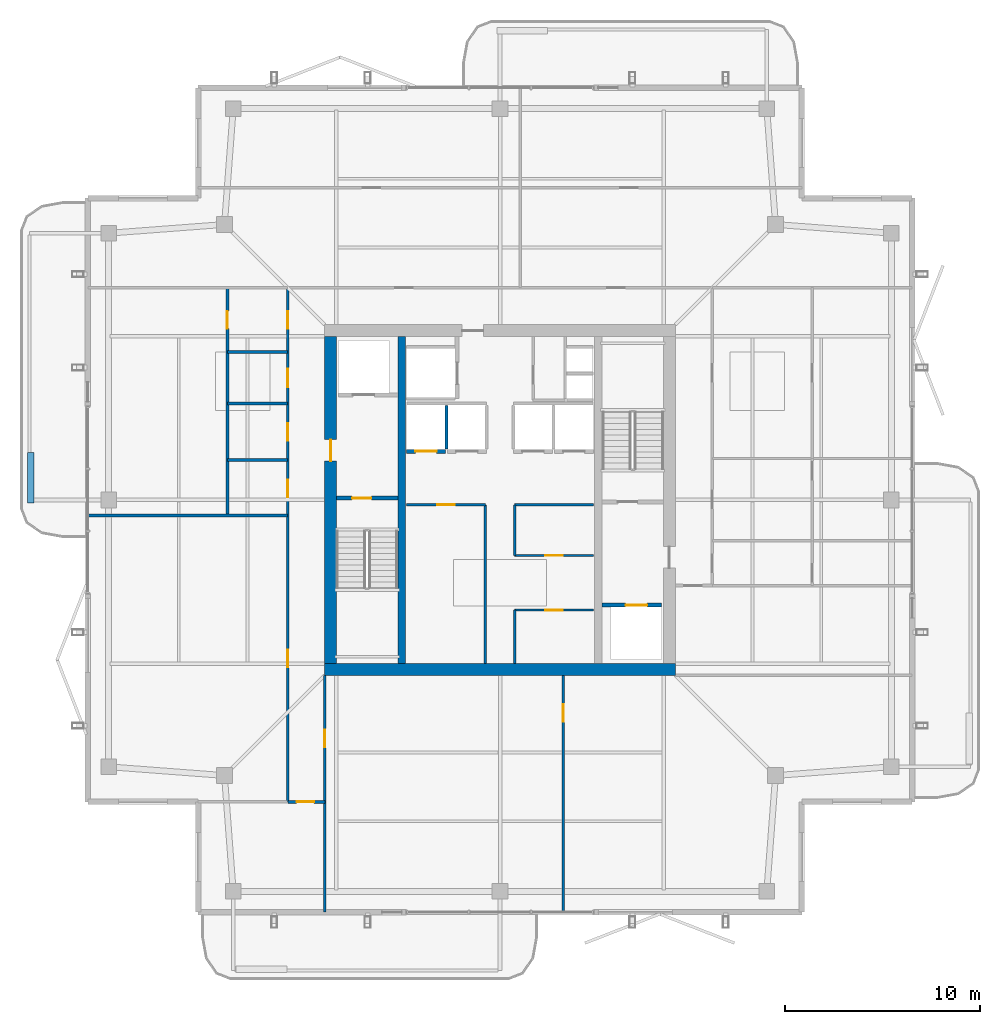
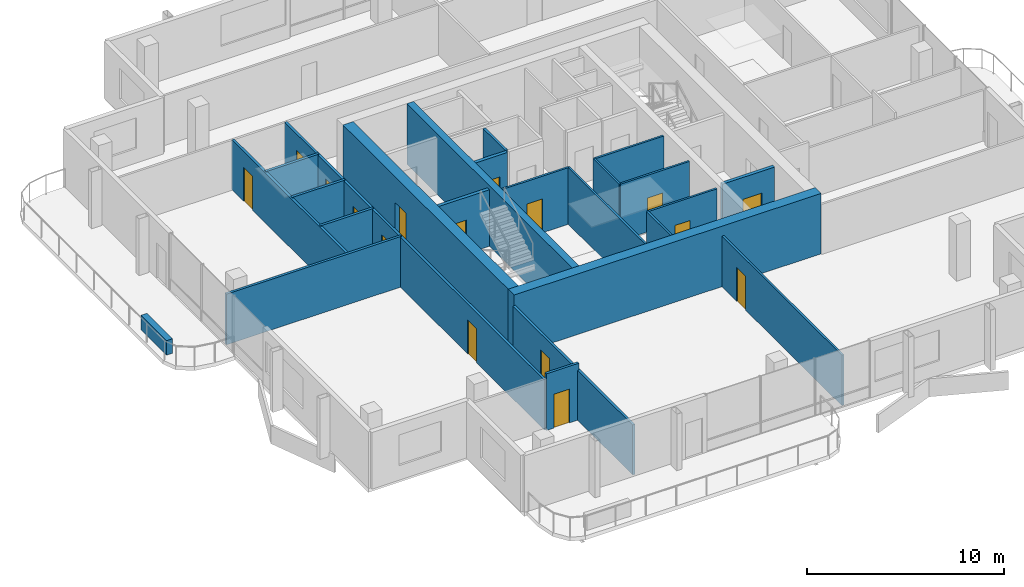
# One storey, part 16 of 22: 24 walls, 16 doors, 16 openings.
"""IFC4 building model written with IfcOpenShell, lengths in metres."""

from ifc_helpers import new_model, si_unit, direction, frame, frame_2d, origin, place, context, subcontext, project, spatial, rectangle, extrude, material, layer, layer_set, type_object, element, fill, save


model = new_model("IFC4")

# Units and contexts
model_context = context("Model", 3, precision=1e-05, world=origin(), true_north=direction((0.0, 1.0)))
body_context = subcontext(model_context, "Body", "Model", "MODEL_VIEW")
ifc_project = project(units=[si_unit("LENGTHUNIT", "METRE"), si_unit("AREAUNIT", "SQUARE_METRE"), si_unit("VOLUMEUNIT", "CUBIC_METRE"), si_unit("PLANEANGLEUNIT", "RADIAN"), si_unit("MASSUNIT", "GRAM", prefix="KILO")], contexts=[model_context])

# Site, building, storey
site_placement = place(None, origin())
site = spatial("IfcSite", under=ifc_project, at=site_placement, CompositionType="ELEMENT")
building_placement = place(site_placement, origin())
building = spatial("IfcBuilding", under=site, at=building_placement, Name="Belovzor Exchange Tower", CompositionType="ELEMENT")
storey_placement = place(building_placement, frame((0.0, 0.0, 348.0)))
storey = spatial("IfcBuildingStorey", under=building, at=storey_placement, Name="L87", CompositionType="ELEMENT", Elevation=348.0)

# Wall, opening, door
ifc_material_1 = material(Name="Acoustic Plasterboard on Galvanised Studs", Category="gypsum")
ifc_layer_1 = layer(ifc_material_1, 0.1201171875)
ifc_layer_set_1 = layer_set([ifc_layer_1], Name="Acoustic Plasterboard on Galvanised Studs")
wall_type_1 = type_object("IfcWallType", Name="Acoustic Double-Stud Partition Wall 120", PredefinedType="PARTITIONING", material=ifc_layer_set_1)
wall_1_placement = place(storey_placement, frame((32.050048828125, 7.6298828125, 0.0), z_axis=(0.0, 0.0, 1.0), x_axis=(0.0, 1.0, 0.0)))
wall_1 = element("IfcWall", 1, at=wall_1_placement, inside=storey, type_object=wall_type_1, Name="W-P120 Partition Wall W-L87-SDIV-1", PredefinedType="PARTITIONING", context=body_context, shape_type="SweptSolid", body=[
    extrude(rectangle(XDim=12.170166015625, YDim=0.1201171875, at=frame_2d((6.0849609375, 0.0))), origin(), (0.0, 0.0, 1.0), 3.135009765625),
])
opening_1_placement = place(wall_1_placement, frame((9.77001953125, 0.0, 0.0)))
opening_1 = element("IfcOpeningElement", 2, at=opening_1_placement, cuts=wall_1, Name="Opening D-INT-090", PredefinedType="OPENING", context=body_context, shape_type="SweptSolid", body=[
    extrude(rectangle(XDim=0.89990234375, YDim=2.10009765625, at=frame_2d((0.449951171875, 1.050048828125))), frame((0.0, 0.070068359375, 0.0), z_axis=(0.0, -1.0, 0.0), x_axis=(1.0, 0.0, 0.0)), (0.0, 0.0, 1.0), 0.14013671875),
])
ifc_material_2 = material(Name="Veneered Hardwood Acoustic Leaf", Category="wood")
door_type_1 = type_object("IfcDoorType", Name="Trading Suite Acoustic Single Door 900x2100", OperationType="NOTDEFINED", PredefinedType="DOOR", material=ifc_material_2)
door_1_placement = place(opening_1_placement, origin())
door_1 = element("IfcDoor", 3, at=door_1_placement, inside=storey, type_object=door_type_1, Name="D-INT-090 Trading Suite Acoustic Single Door 900x2100", OperationType="SINGLE_SWING_LEFT", OverallHeight=2.10009765625, OverallWidth=0.89990234375, PredefinedType="DOOR", context=body_context, shape_type="SweptSolid", body=[
    extrude(rectangle(XDim=0.89990234375, YDim=2.10009765625, at=frame_2d((0.449951171875, 1.050048828125))), frame((0.0, 0.02490234375, 0.0), z_axis=(0.0, -1.0, 0.0), x_axis=(1.0, 0.0, 0.0)), (0.0, 0.0, 1.0), 0.050048828125),
])
fill(opening_1, door_1)

ifc_material_3 = material(Name="Fire-Rated Plasterboard on Galvanised Studs", Category="gypsum")
ifc_layer_2 = layer(ifc_material_3, 0.1201171875)
ifc_layer_set_2 = layer_set([ifc_layer_2], Name="Fire-Rated Plasterboard on Galvanised Studs")
wall_type_2 = type_object("IfcWallType", Name="Fire-Rated Double-Stud Partition Wall 120", PredefinedType="PARTITIONING", material=ifc_layer_set_2)
wall_2_placement = place(storey_placement, frame((24.0, 28.550048828125, 0.0), z_axis=(0.0, 0.0, 1.0), x_axis=(1.0, 0.0, 0.0)))
wall_2 = element("IfcWall", 4, at=wall_2_placement, inside=storey, type_object=wall_type_2, Name="W-P120F Partition Wall W-CRWB-L87-N", PredefinedType="PARTITIONING", context=body_context, shape_type="SweptSolid", body=[
    extrude(rectangle(XDim=4.050048828125, YDim=0.1201171875, at=frame_2d((2.02490234375, 0.0))), origin(), (0.0, 0.0, 1.0), 3.510009765625),
])
opening_2_placement = place(wall_2_placement, frame((1.574951171875, 0.0, 0.0)))
opening_2 = element("IfcOpeningElement", 5, at=opening_2_placement, cuts=wall_2, Name="Opening D-FD60-090", PredefinedType="OPENING", context=body_context, shape_type="SweptSolid", body=[
    extrude(rectangle(XDim=0.89990234375, YDim=2.10009765625, at=frame_2d((0.449951171875, 1.050048828125))), frame((0.0, 0.070068359375, 0.0), z_axis=(0.0, -1.0, 0.0), x_axis=(1.0, 0.0, 0.0)), (0.0, 0.0, 1.0), 0.14013671875),
])
ifc_material_4 = material(Name="Acoustic Timber Fire Leaf", Category="wood")
door_type_2 = type_object("IfcDoorType", Name="Core Service & Restroom Fire Door 900x2100", OperationType="NOTDEFINED", PredefinedType="DOOR", material=ifc_material_4)
door_2_placement = place(opening_2_placement, origin())
door_2 = element("IfcDoor", 6, at=door_2_placement, inside=storey, type_object=door_type_2, Name="D-FD60-090 Core Service & Restroom Fire Door 900x2100", OperationType="SINGLE_SWING_LEFT", OverallHeight=2.10009765625, OverallWidth=0.89990234375, PredefinedType="DOOR", context=body_context, shape_type="SweptSolid", body=[
    extrude(rectangle(XDim=0.89990234375, YDim=2.10009765625, at=frame_2d((0.449951171875, 1.050048828125))), frame((0.0, 0.02490234375, 0.0), z_axis=(0.0, -1.0, 0.0), x_axis=(1.0, 0.0, 0.0)), (0.0, 0.0, 1.0), 0.050048828125),
])
fill(opening_2, door_2)

# Wall
wall_3_placement = place(storey_placement, frame((28.050048828125, 20.39990234375, 0.0), z_axis=(0.0, 0.0, 1.0), x_axis=(0.0, 1.0, 0.0)))
element("IfcWall", 7, at=wall_3_placement, inside=storey, type_object=wall_type_2, Name="W-P120F Partition Wall W-CRWB-L87-E", PredefinedType="PARTITIONING", context=body_context, shape_type="SweptSolid", body=[
    extrude(rectangle(XDim=8.150146484375, YDim=0.1201171875, at=frame_2d((4.0751953125, 0.0))), origin(), (0.0, 0.0, 1.0), 3.510009765625),
])

# Wall, opening, door
wall_4_placement = place(storey_placement, frame((29.550048828125, 23.14990234375, 0.0), z_axis=(0.0, 0.0, 1.0), x_axis=(1.0, 0.0, 0.0)))
wall_4 = element("IfcWall", 8, at=wall_4_placement, inside=storey, type_object=wall_type_2, Name="W-P120F Partition Wall W-CRL-L87-EN", PredefinedType="PARTITIONING", context=body_context, shape_type="SweptSolid", body=[
    extrude(rectangle(XDim=4.050048828125, YDim=0.1201171875, at=frame_2d((2.02490234375, 0.0))), origin(), (0.0, 0.0, 1.0), 3.510009765625),
])
opening_3_placement = place(wall_4_placement, frame((1.574951171875, 0.0, 0.0)))
opening_3 = element("IfcOpeningElement", 9, at=opening_3_placement, cuts=wall_4, Name="Opening D-FD60-090", PredefinedType="OPENING", context=body_context, shape_type="SweptSolid", body=[
    extrude(rectangle(XDim=0.89990234375, YDim=2.10009765625, at=frame_2d((0.449951171875, 1.050048828125))), frame((0.0, 0.070068359375, 0.0), z_axis=(0.0, -1.0, 0.0), x_axis=(1.0, 0.0, 0.0)), (0.0, 0.0, 1.0), 0.14013671875),
])
door_3_placement = place(opening_3_placement, origin())
door_3 = element("IfcDoor", 10, at=door_3_placement, inside=storey, type_object=door_type_2, Name="D-FD60-090 Core Service & Restroom Fire Door 900x2100", OperationType="SINGLE_SWING_RIGHT", OverallHeight=2.10009765625, OverallWidth=0.89990234375, PredefinedType="DOOR", context=body_context, shape_type="SweptSolid", body=[
    extrude(rectangle(XDim=0.89990234375, YDim=2.10009765625, at=frame_2d((0.449951171875, 1.050048828125))), frame((0.0, 0.02490234375, 0.0), z_axis=(0.0, -1.0, 0.0), x_axis=(1.0, 0.0, 0.0)), (0.0, 0.0, 1.0), 0.050048828125),
])
fill(opening_3, door_3)

# Wall
wall_5_placement = place(storey_placement, frame((29.550048828125, 20.39990234375, 0.0), z_axis=(0.0, 0.0, 1.0), x_axis=(0.0, 1.0, 0.0)))
element("IfcWall", 11, at=wall_5_placement, inside=storey, type_object=wall_type_2, Name="W-P120F Partition Wall W-CRL-L87-EW", PredefinedType="PARTITIONING", context=body_context, shape_type="SweptSolid", body=[
    extrude(rectangle(XDim=2.75, YDim=0.1201171875, at=frame_2d((1.375, 0.0))), origin(), (0.0, 0.0, 1.0), 3.510009765625),
])

# Wall, opening, door
wall_6_placement = place(storey_placement, frame((29.550048828125, 25.949951171875, 0.0), z_axis=(0.0, 0.0, 1.0), x_axis=(1.0, 0.0, 0.0)))
wall_6 = element("IfcWall", 12, at=wall_6_placement, inside=storey, type_object=wall_type_2, Name="W-P120F Partition Wall W-CRM-L87-ES", PredefinedType="PARTITIONING", context=body_context, shape_type="SweptSolid", body=[
    extrude(rectangle(XDim=4.050048828125, YDim=0.1201171875, at=frame_2d((2.02490234375, 0.0))), origin(), (0.0, 0.0, 1.0), 3.510009765625),
])
opening_4_placement = place(wall_6_placement, frame((1.574951171875, 0.0, 0.0)))
opening_4 = element("IfcOpeningElement", 13, at=opening_4_placement, cuts=wall_6, Name="Opening D-FD60-090", PredefinedType="OPENING", context=body_context, shape_type="SweptSolid", body=[
    extrude(rectangle(XDim=0.89990234375, YDim=2.10009765625, at=frame_2d((0.449951171875, 1.050048828125))), frame((0.0, 0.070068359375, 0.0), z_axis=(0.0, -1.0, 0.0), x_axis=(1.0, 0.0, 0.0)), (0.0, 0.0, 1.0), 0.14013671875),
])
door_4_placement = place(opening_4_placement, origin())
door_4 = element("IfcDoor", 14, at=door_4_placement, inside=storey, type_object=door_type_2, Name="D-FD60-090 Core Service & Restroom Fire Door 900x2100", OperationType="SINGLE_SWING_RIGHT", OverallHeight=2.10009765625, OverallWidth=0.89990234375, PredefinedType="DOOR", context=body_context, shape_type="SweptSolid", body=[
    extrude(rectangle(XDim=0.89990234375, YDim=2.10009765625, at=frame_2d((0.449951171875, 1.050048828125))), frame((0.0, 0.02490234375, 0.0), z_axis=(0.0, -1.0, 0.0), x_axis=(1.0, 0.0, 0.0)), (0.0, 0.0, 1.0), 0.050048828125),
])
fill(opening_4, door_4)

# Walls
wall_7_placement = place(storey_placement, frame((29.550048828125, 28.550048828125, 0.0), z_axis=(0.0, 0.0, 1.0), x_axis=(1.0, 0.0, 0.0)))
element("IfcWall", 15, at=wall_7_placement, inside=storey, type_object=wall_type_2, Name="W-P120F Partition Wall W-CRM-L87-EN", PredefinedType="PARTITIONING", context=body_context, shape_type="SweptSolid", body=[
    extrude(rectangle(XDim=4.050048828125, YDim=0.1201171875, at=frame_2d((2.02490234375, 0.0))), origin(), (0.0, 0.0, 1.0), 3.510009765625),
])
wall_8_placement = place(storey_placement, frame((29.550048828125, 25.949951171875, 0.0), z_axis=(0.0, 0.0, 1.0), x_axis=(0.0, 1.0, 0.0)))
element("IfcWall", 16, at=wall_8_placement, inside=storey, type_object=wall_type_2, Name="W-P120F Partition Wall W-CRM-L87-EW", PredefinedType="PARTITIONING", context=body_context, shape_type="SweptSolid", body=[
    extrude(rectangle(XDim=2.60009765625, YDim=0.1201171875, at=frame_2d((1.300048828125, 0.0))), origin(), (0.0, 0.0, 1.0), 3.510009765625),
])

# Wall, opening, door
ifc_material_5 = material(Name="Fire-Rated Gypsum Block and Mineral Wool", Category="gypsum")
ifc_layer_3 = layer(ifc_material_5, 0.14990234375)
ifc_layer_set_3 = layer_set([ifc_layer_3], Name="Fire-Rated Gypsum Block and Mineral Wool")
wall_type_3 = type_object("IfcWallType", Name="Fire-Rated Gypsum Block Corridor Wall 150", PredefinedType="PARTITIONING", material=ifc_layer_set_3)
wall_9_placement = place(storey_placement, frame((14.800048828125, 28.0, 0.0), z_axis=(0.0, 0.0, 1.0), x_axis=(0.0, 1.0, 0.0)))
wall_9 = element("IfcWall", 17, at=wall_9_placement, inside=storey, type_object=wall_type_3, Name="W-P150 Partition Wall W-L87-WCW", PredefinedType="PARTITIONING", context=body_context, shape_type="SweptSolid", body=[
    extrude(rectangle(XDim=11.699951171875, YDim=0.14990234375, at=frame_2d((5.85009765625, 0.0))), origin(), (0.0, 0.0, 1.0), 3.094970703125),
])
opening_5_placement = place(wall_9_placement, frame((9.60009765625, 0.0, 0.0)))
opening_5 = element("IfcOpeningElement", 18, at=opening_5_placement, cuts=wall_9, Name="Opening D-INT-090", PredefinedType="OPENING", context=body_context, shape_type="SweptSolid", body=[
    extrude(rectangle(XDim=0.89990234375, YDim=2.10009765625, at=frame_2d((0.449951171875, 1.050048828125))), frame((0.0, 0.0849609375, 0.0), z_axis=(0.0, -1.0, 0.0), x_axis=(1.0, 0.0, 0.0)), (0.0, 0.0, 1.0), 0.169921875),
])
door_5_placement = place(opening_5_placement, origin())
door_5 = element("IfcDoor", 19, at=door_5_placement, inside=storey, type_object=door_type_1, Name="D-INT-090 Trading Suite Acoustic Single Door 900x2100", OperationType="SINGLE_SWING_LEFT", OverallHeight=2.10009765625, OverallWidth=0.89990234375, PredefinedType="DOOR", context=body_context, shape_type="SweptSolid", body=[
    extrude(rectangle(XDim=0.89990234375, YDim=2.10009765625, at=frame_2d((0.449951171875, 1.050048828125))), frame((0.0, 0.02490234375, 0.0), z_axis=(0.0, -1.0, 0.0), x_axis=(1.0, 0.0, 0.0)), (0.0, 0.0, 1.0), 0.050048828125),
])
fill(opening_5, door_5)

# Walls
wall_10_placement = place(storey_placement, frame((7.6298828125, 28.0, 0.0), z_axis=(0.0, 0.0, 1.0), x_axis=(1.0, 0.0, 0.0)))
element("IfcWall", 20, at=wall_10_placement, inside=storey, type_object=wall_type_3, Name="W-P150 Partition Wall W-L87-WCS", PredefinedType="PARTITIONING", context=body_context, shape_type="SweptSolid", body=[
    extrude(rectangle(XDim=10.27001953125, YDim=0.14990234375, at=frame_2d((5.135009765625, 0.0))), origin(), (0.0, 0.0, 1.0), 3.135009765625),
])
for number, where, z_axis, x_axis, name in (
    (21, (14.800048828125, 36.39990234375, 0.0), (0.0, 0.0, 1.0), (1.0, 0.0, 0.0), "W-P150 Partition Wall W-L87-WCN"),
    (22, (14.800048828125, 30.85009765625, 0.0), (0.0, 0.0, 1.0), (1.0, 0.0, 0.0), "W-P150 Partition Wall W-L87-WCD1"),
    (23, (14.800048828125, 33.75, 0.0), (0.0, 0.0, 1.0), (1.0, 0.0, 0.0), "W-P150 Partition Wall W-L87-WCD2"),
):
    element("IfcWall", number, at=place(storey_placement, frame(where, z_axis=z_axis, x_axis=x_axis)), inside=storey, type_object=wall_type_3, Name=name, PredefinedType="PARTITIONING", context=body_context, shape_type="SweptSolid", body=[
        extrude(rectangle(XDim=3.099853515625, YDim=0.14990234375, at=frame_2d((1.5498046875, 0.0))), origin(), (0.0, 0.0, 1.0), 3.135009765625),
    ])

# Wall, opening, door
wall_11_placement = place(storey_placement, frame((17.89990234375, 13.300048828125, 0.0), z_axis=(0.0, 0.0, 1.0), x_axis=(1.0, 0.0, 0.0)))
wall_11 = element("IfcWall", 24, at=wall_11_placement, inside=storey, type_object=wall_type_3, Name="W-P150 Partition Wall W-L87-CW-END", PredefinedType="PARTITIONING", context=body_context, shape_type="SweptSolid", body=[
    extrude(rectangle(XDim=1.900146484375, YDim=0.14990234375, at=frame_2d((0.9501953125, 0.0))), origin(), (0.0, 0.0, 1.0), 3.510009765625),
])
opening_6_placement = place(wall_11_placement, frame((0.449951171875, 0.0, 0.0)))
opening_6 = element("IfcOpeningElement", 25, at=opening_6_placement, cuts=wall_11, Name="Opening D-FD60-090", PredefinedType="OPENING", context=body_context, shape_type="SweptSolid", body=[
    extrude(rectangle(XDim=0.89990234375, YDim=2.10009765625, at=frame_2d((0.449951171875, 1.050048828125))), frame((0.0, 0.0849609375, 0.0), z_axis=(0.0, -1.0, 0.0), x_axis=(1.0, 0.0, 0.0)), (0.0, 0.0, 1.0), 0.169921875),
])
door_6_placement = place(opening_6_placement, origin())
door_6 = element("IfcDoor", 26, at=door_6_placement, inside=storey, type_object=door_type_2, Name="D-FD60-090 Core Service & Restroom Fire Door 900x2100", OperationType="SINGLE_SWING_LEFT", OverallHeight=2.10009765625, OverallWidth=0.89990234375, PredefinedType="DOOR", context=body_context, shape_type="SweptSolid", body=[
    extrude(rectangle(XDim=0.89990234375, YDim=2.10009765625, at=frame_2d((0.449951171875, 1.050048828125))), frame((0.0, 0.02490234375, 0.0), z_axis=(0.0, -1.0, 0.0), x_axis=(1.0, 0.0, 0.0)), (0.0, 0.0, 1.0), 0.050048828125),
])
fill(opening_6, door_6)

wall_12_placement = place(storey_placement, frame((19.800048828125, 7.6298828125, 0.0), z_axis=(0.0, 0.0, 1.0), x_axis=(0.0, 1.0, 0.0)))
wall_12 = element("IfcWall", 27, at=wall_12_placement, inside=storey, type_object=wall_type_3, Name="W-P150 Partition Wall W-L87-CW-E", PredefinedType="PARTITIONING", context=body_context, shape_type="SweptSolid", body=[
    extrude(rectangle(XDim=12.170166015625, YDim=0.14990234375, at=frame_2d((6.0849609375, 0.0))), origin(), (0.0, 0.0, 1.0), 3.094970703125),
])
opening_7_placement = place(wall_12_placement, frame((8.469970703125, 0.0, 0.0)))
opening_7 = element("IfcOpeningElement", 28, at=opening_7_placement, cuts=wall_12, Name="Opening D-FD60-090", PredefinedType="OPENING", context=body_context, shape_type="SweptSolid", body=[
    extrude(rectangle(XDim=0.89990234375, YDim=2.10009765625, at=frame_2d((0.449951171875, 1.050048828125))), frame((0.0, 0.0849609375, 0.0), z_axis=(0.0, -1.0, 0.0), x_axis=(1.0, 0.0, 0.0)), (0.0, 0.0, 1.0), 0.169921875),
])
door_7_placement = place(opening_7_placement, origin())
door_7 = element("IfcDoor", 29, at=door_7_placement, inside=storey, type_object=door_type_2, Name="D-FD60-090 Core Service & Restroom Fire Door 900x2100", OperationType="SINGLE_SWING_RIGHT", OverallHeight=2.10009765625, OverallWidth=0.89990234375, PredefinedType="DOOR", context=body_context, shape_type="SweptSolid", body=[
    extrude(rectangle(XDim=0.89990234375, YDim=2.10009765625, at=frame_2d((0.449951171875, 1.050048828125))), frame((0.0, 0.02490234375, 0.0), z_axis=(0.0, -1.0, 0.0), x_axis=(1.0, 0.0, 0.0)), (0.0, 0.0, 1.0), 0.050048828125),
])
fill(opening_7, door_7)

# Wall, openings, doors
wall_13_placement = place(storey_placement, frame((17.89990234375, 13.300048828125, 0.0), z_axis=(0.0, 0.0, 1.0), x_axis=(0.0, 1.0, 0.0)))
wall_13 = element("IfcWall", 30, at=wall_13_placement, inside=storey, type_object=wall_type_3, Name="W-P150 Partition Wall W-L87-CW", PredefinedType="PARTITIONING", context=body_context, shape_type="SweptSolid", body=[
    extrude(rectangle(XDim=26.39990234375, YDim=0.14990234375, at=frame_2d((13.199951171875, 0.0))), origin(), (0.0, 0.0, 1.0), 3.094970703125),
])
opening_8_placement = place(wall_13_placement, frame((6.89990234375, 0.0, 0.0)))
opening_8 = element("IfcOpeningElement", 31, at=opening_8_placement, cuts=wall_13, Name="Opening D-INT-090", PredefinedType="OPENING", context=body_context, shape_type="SweptSolid", body=[
    extrude(rectangle(XDim=0.89990234375, YDim=2.10009765625, at=frame_2d((0.449951171875, 1.050048828125))), frame((0.0, 0.0849609375, 0.0), z_axis=(0.0, -1.0, 0.0), x_axis=(1.0, 0.0, 0.0)), (0.0, 0.0, 1.0), 0.169921875),
])
opening_9_placement = place(wall_13_placement, frame((15.64990234375, 0.0, 0.0)))
opening_9 = element("IfcOpeningElement", 32, at=opening_9_placement, cuts=wall_13, Name="Opening D-FD60-090", PredefinedType="OPENING", context=body_context, shape_type="SweptSolid", body=[
    extrude(rectangle(XDim=0.89990234375, YDim=2.10009765625, at=frame_2d((0.449951171875, 1.050048828125))), frame((0.0, 0.0849609375, 0.0), z_axis=(0.0, -1.0, 0.0), x_axis=(1.0, 0.0, 0.0)), (0.0, 0.0, 1.0), 0.169921875),
])
opening_10_placement = place(wall_13_placement, frame((18.550048828125, 0.0, 0.0)))
opening_10 = element("IfcOpeningElement", 33, at=opening_10_placement, cuts=wall_13, Name="Opening D-FD60-090", PredefinedType="OPENING", context=body_context, shape_type="SweptSolid", body=[
    extrude(rectangle(XDim=0.89990234375, YDim=2.10009765625, at=frame_2d((0.449951171875, 1.050048828125))), frame((0.0, 0.0849609375, 0.0), z_axis=(0.0, -1.0, 0.0), x_axis=(1.0, 0.0, 0.0)), (0.0, 0.0, 1.0), 0.169921875),
])
opening_11_placement = place(wall_13_placement, frame((21.300048828125, 0.0, 0.0)))
opening_11 = element("IfcOpeningElement", 34, at=opening_11_placement, cuts=wall_13, Name="Opening D-FD60-095", PredefinedType="OPENING", context=body_context, shape_type="SweptSolid", body=[
    extrude(rectangle(XDim=0.949951171875, YDim=2.10009765625, at=frame_2d((0.47509765625, 1.050048828125))), frame((0.0, 0.0849609375, 0.0), z_axis=(0.0, -1.0, 0.0), x_axis=(1.0, 0.0, 0.0)), (0.0, 0.0, 1.0), 0.169921875),
])
opening_12_placement = place(wall_13_placement, frame((24.300048828125, 0.0, 0.0)))
opening_12 = element("IfcOpeningElement", 35, at=opening_12_placement, cuts=wall_13, Name="Opening D-FD60-090", PredefinedType="OPENING", context=body_context, shape_type="SweptSolid", body=[
    extrude(rectangle(XDim=0.89990234375, YDim=2.10009765625, at=frame_2d((0.449951171875, 1.050048828125))), frame((0.0, 0.0849609375, 0.0), z_axis=(0.0, -1.0, 0.0), x_axis=(1.0, 0.0, 0.0)), (0.0, 0.0, 1.0), 0.169921875),
])
ifc_material_6 = material(Name="Moisture-Resistant Timber Fire Leaf", Category="wood")
door_type_3 = type_object("IfcDoorType", Name="Accessible Restroom Wide Fire Door 950x2100", OperationType="NOTDEFINED", PredefinedType="DOOR", material=ifc_material_6)
door_8_placement = place(opening_11_placement, origin())
door_8 = element("IfcDoor", 36, at=door_8_placement, inside=storey, type_object=door_type_3, Name="D-FD60-095 Accessible Restroom Wide Fire Door 950x2100", OperationType="SINGLE_SWING_LEFT", OverallHeight=2.10009765625, OverallWidth=0.949951171875, PredefinedType="DOOR", context=body_context, shape_type="SweptSolid", body=[
    extrude(rectangle(XDim=0.949951171875, YDim=2.10009765625, at=frame_2d((0.47509765625, 1.050048828125))), frame((0.0, 0.02490234375, 0.0), z_axis=(0.0, -1.0, 0.0), x_axis=(1.0, 0.0, 0.0)), (0.0, 0.0, 1.0), 0.050048828125),
])
fill(opening_11, door_8)
door_9_placement = place(opening_9_placement, origin())
door_9 = element("IfcDoor", 37, at=door_9_placement, inside=storey, type_object=door_type_2, Name="D-FD60-090 Core Service & Restroom Fire Door 900x2100", OperationType="SINGLE_SWING_LEFT", OverallHeight=2.10009765625, OverallWidth=0.89990234375, PredefinedType="DOOR", context=body_context, shape_type="SweptSolid", body=[
    extrude(rectangle(XDim=0.89990234375, YDim=2.10009765625, at=frame_2d((0.449951171875, 1.050048828125))), frame((0.0, 0.02490234375, 0.0), z_axis=(0.0, -1.0, 0.0), x_axis=(1.0, 0.0, 0.0)), (0.0, 0.0, 1.0), 0.050048828125),
])
fill(opening_9, door_9)
door_10_placement = place(opening_10_placement, origin())
door_10 = element("IfcDoor", 38, at=door_10_placement, inside=storey, type_object=door_type_2, Name="D-FD60-090 Core Service & Restroom Fire Door 900x2100", OperationType="SINGLE_SWING_RIGHT", OverallHeight=2.10009765625, OverallWidth=0.89990234375, PredefinedType="DOOR", context=body_context, shape_type="SweptSolid", body=[
    extrude(rectangle(XDim=0.89990234375, YDim=2.10009765625, at=frame_2d((0.449951171875, 1.050048828125))), frame((0.0, 0.02490234375, 0.0), z_axis=(0.0, -1.0, 0.0), x_axis=(1.0, 0.0, 0.0)), (0.0, 0.0, 1.0), 0.050048828125),
])
fill(opening_10, door_10)
door_11_placement = place(opening_12_placement, origin())
door_11 = element("IfcDoor", 39, at=door_11_placement, inside=storey, type_object=door_type_2, Name="D-FD60-090 Core Service & Restroom Fire Door 900x2100", OperationType="SINGLE_SWING_LEFT", OverallHeight=2.10009765625, OverallWidth=0.89990234375, PredefinedType="DOOR", context=body_context, shape_type="SweptSolid", body=[
    extrude(rectangle(XDim=0.89990234375, YDim=2.10009765625, at=frame_2d((0.449951171875, 1.050048828125))), frame((0.0, 0.02490234375, 0.0), z_axis=(0.0, -1.0, 0.0), x_axis=(1.0, 0.0, 0.0)), (0.0, 0.0, 1.0), 0.050048828125),
])
fill(opening_12, door_11)
door_12_placement = place(opening_8_placement, origin())
door_12 = element("IfcDoor", 40, at=door_12_placement, inside=storey, type_object=door_type_1, Name="D-INT-090 Trading Suite Acoustic Single Door 900x2100", OperationType="SINGLE_SWING_LEFT", OverallHeight=2.10009765625, OverallWidth=0.89990234375, PredefinedType="DOOR", context=body_context, shape_type="SweptSolid", body=[
    extrude(rectangle(XDim=0.89990234375, YDim=2.10009765625, at=frame_2d((0.449951171875, 1.050048828125))), frame((0.0, 0.02490234375, 0.0), z_axis=(0.0, -1.0, 0.0), x_axis=(1.0, 0.0, 0.0)), (0.0, 0.0, 1.0), 0.050048828125),
])
fill(opening_8, door_12)

# Walls
ifc_material_7 = material(Name="Precast concrete C40/50", Category="concrete")
ifc_layer_4 = layer(ifc_material_7, 0.35009765625)
ifc_layer_set_4 = layer_set([ifc_layer_4], Name="Precast concrete C40/50")
wall_type_4 = type_object("IfcWallType", Name="Precast Concrete Structural Tree Planter Trough 350", PredefinedType="PARAPET", material=ifc_layer_set_4)
wall_14_placement = place(storey_placement, frame((4.699951171875, 28.64990234375, 0.0), z_axis=(0.0, 0.0, 1.0), x_axis=(0.0, 1.0, 0.0)))
element("IfcWall", 41, at=wall_14_placement, inside=storey, type_object=wall_type_4, Name="PT-350 Precast Concrete Structural Tree Planter Trough 350 L87", PredefinedType="PARAPET", context=body_context, shape_type="SweptSolid", body=[
    extrude(rectangle(XDim=2.60009765625, YDim=0.35009765625, at=frame_2d((1.300048828125, 0.0))), origin(), (0.0, 0.0, 1.0), 0.89990234375),
])
ifc_material_8 = material(Name="Concrete C50/60", Category="concrete")
ifc_layer_5 = layer(ifc_material_8, 0.39990234375)
ifc_layer_set_5 = layer_set([ifc_layer_5], Name="Concrete C50/60")
wall_type_5 = type_object("IfcWallType", Name="Reinforced Concrete Core Internal Web Wall 400", PredefinedType="SHEAR", material=ifc_layer_set_5)
wall_15_placement = place(storey_placement, frame((23.75, 20.39990234375, 0.0), z_axis=(0.0, 0.0, 1.0), x_axis=(0.0, 1.0, 0.0)))
element("IfcWall", 42, at=wall_15_placement, inside=storey, type_object=wall_type_5, Name="CW-W040 Core Internal Web Wall L87 WL", PredefinedType="SHEAR", context=body_context, shape_type="SweptSolid", body=[
    extrude(rectangle(XDim=16.800048828125, YDim=0.39990234375, at=frame_2d((8.39990234375, 0.0))), origin(), (0.0, 0.0, 1.0), 3.75),
])
ifc_material_9 = material(Name="Concrete C50/60", Category="concrete")
ifc_layer_6 = layer(ifc_material_9, 0.14990234375)
ifc_layer_set_6 = layer_set([ifc_layer_6], Name="Concrete C50/60")
wall_type_6 = type_object("IfcWallType", Name="Reinforced Concrete Core Riser Shear Wall 150", PredefinedType="SHEAR", material=ifc_layer_set_6)
wall_16_placement = place(storey_placement, frame((26.050048828125, 31.419921875, 0.0), z_axis=(0.0, 0.0, 1.0), x_axis=(0.0, 1.0, 0.0)))
element("IfcWall", 43, at=wall_16_placement, inside=storey, type_object=wall_type_6, Name="W-C150S Core Shaft Wall W-SHD-L87-PLH-1", PredefinedType="SHEAR", context=body_context, shape_type="SweptSolid", body=[
    extrude(rectangle(XDim=2.239990234375, YDim=0.14990234375, at=frame_2d((1.1201171875, 0.0))), origin(), (0.0, 0.0, 1.0), 3.510009765625),
])

# Wall, opening, door
ifc_material_10 = material(Name="Concrete C50/60", Category="concrete")
ifc_layer_7 = layer(ifc_material_10, 0.199951171875)
ifc_layer_set_7 = layer_set([ifc_layer_7], Name="Concrete C50/60")
wall_type_7 = type_object("IfcWallType", Name="Reinforced Concrete Core Shaft Shear Wall 200", PredefinedType="SHEAR", material=ifc_layer_set_7)
wall_17_placement = place(storey_placement, frame((20.39990234375, 28.89990234375, 0.0), z_axis=(0.0, 0.0, 1.0), x_axis=(1.0, 0.0, 0.0)))
wall_17 = element("IfcWall", 44, at=wall_17_placement, inside=storey, type_object=wall_type_7, Name="W-C200S Core Shaft Wall W-CORE-L87-FFLW1", PredefinedType="SHEAR", context=body_context, shape_type="SweptSolid", body=[
    extrude(rectangle(XDim=3.150146484375, YDim=0.199951171875, at=frame_2d((1.5751953125, 0.0))), origin(), (0.0, 0.0, 1.0), 3.510009765625),
])
opening_13_placement = place(wall_17_placement, frame((0.800048828125, 0.0, 0.0)))
opening_13 = element("IfcOpeningElement", 45, at=opening_13_placement, cuts=wall_17, Name="Opening D-FD90-100", PredefinedType="OPENING", context=body_context, shape_type="SweptSolid", body=[
    extrude(rectangle(XDim=1.0, YDim=2.10009765625, at=frame_2d((0.5, 1.050048828125))), frame((0.0, 0.10986328125, 0.0), z_axis=(0.0, -1.0, 0.0), x_axis=(1.0, 0.0, 0.0)), (0.0, 0.0, 1.0), 0.219970703125),
])
ifc_material_11 = material(Name="Fire-Rated Galvanised Steel Leaf", Category="steel")
door_type_4 = type_object("IfcDoorType", Name="Protected Stairwell Single Fire Door 1000x2100", OperationType="NOTDEFINED", PredefinedType="DOOR", material=ifc_material_11)
door_13_placement = place(opening_13_placement, origin())
door_13 = element("IfcDoor", 46, at=door_13_placement, inside=storey, type_object=door_type_4, Name="D-FD90-100 Protected Stairwell Single Fire Door 1000x2100", OperationType="SINGLE_SWING_RIGHT", OverallHeight=2.10009765625, OverallWidth=1.0, PredefinedType="DOOR", context=body_context, shape_type="SweptSolid", body=[
    extrude(rectangle(XDim=1.0, YDim=2.10009765625, at=frame_2d((0.5, 1.050048828125))), frame((0.0, 0.02490234375, 0.0), z_axis=(0.0, -1.0, 0.0), x_axis=(1.0, 0.0, 0.0)), (0.0, 0.0, 1.0), 0.050048828125),
])
fill(opening_13, door_13)

wall_18_placement = place(storey_placement, frame((34.050048828125, 23.39990234375, 0.0), z_axis=(0.0, 0.0, 1.0), x_axis=(1.0, 0.0, 0.0)))
wall_18 = element("IfcWall", 47, at=wall_18_placement, inside=storey, type_object=wall_type_7, Name="W-C200S Core Shaft Wall W-SH-L87-FFL-02", PredefinedType="SHEAR", context=body_context, shape_type="SweptSolid", body=[
    extrude(rectangle(XDim=3.050048828125, YDim=0.199951171875, at=frame_2d((1.52490234375, 0.0))), origin(), (0.0, 0.0, 1.0), 3.510009765625),
])
opening_14_placement = place(wall_18_placement, frame((1.199951171875, 0.0, 0.0)))
opening_14 = element("IfcOpeningElement", 48, at=opening_14_placement, cuts=wall_18, Name="Opening LD-110", PredefinedType="OPENING", context=body_context, shape_type="SweptSolid", body=[
    extrude(rectangle(XDim=1.10009765625, YDim=2.14990234375, at=frame_2d((0.550048828125, 1.074951171875))), frame((0.0, 0.10986328125, 0.0), z_axis=(0.0, -1.0, 0.0), x_axis=(1.0, 0.0, 0.0)), (0.0, 0.0, 1.0), 0.219970703125),
])
ifc_material_12 = material(Name="Stainless Steel Grade 304", Category="steel")
door_type_5 = type_object("IfcDoorType", Name="Automated Stainless Steel Lift Landing Door 1100x2150", OperationType="SLIDING_TO_RIGHT", PredefinedType="DOOR", material=ifc_material_12)
door_14_placement = place(opening_14_placement, origin())
door_14 = element("IfcDoor", 49, at=door_14_placement, inside=storey, type_object=door_type_5, Name="LD-110 Automated Stainless Steel Lift Landing Door 1100x2150", OperationType="SLIDING_TO_RIGHT", OverallHeight=2.14990234375, OverallWidth=1.10009765625, PredefinedType="DOOR", context=body_context, shape_type="SweptSolid", body=[
    extrude(rectangle(XDim=1.10009765625, YDim=2.14990234375, at=frame_2d((0.550048828125, 1.074951171875))), frame((0.0, 0.02490234375, 0.0), z_axis=(0.0, -1.0, 0.0), x_axis=(1.0, 0.0, 0.0)), (0.0, 0.0, 1.0), 0.050048828125),
])
fill(opening_14, door_14)

wall_19_placement = place(storey_placement, frame((24.0, 31.300048828125, 0.0), z_axis=(0.0, 0.0, 1.0), x_axis=(1.0, 0.0, 0.0)))
wall_19 = element("IfcWall", 50, at=wall_19_placement, inside=storey, type_object=wall_type_7, Name="W-C200S Core Shaft Wall W-SH-L87-PL-H1", PredefinedType="SHEAR", context=body_context, shape_type="SweptSolid", body=[
    extrude(rectangle(XDim=2.0, YDim=0.199951171875, at=frame_2d((1.0, 0.0))), origin(), (0.0, 0.0, 1.0), 3.510009765625),
])
opening_15_placement = place(wall_19_placement, frame((0.449951171875, 0.0, 0.0)))
opening_15 = element("IfcOpeningElement", 51, at=opening_15_placement, cuts=wall_19, Name="Opening LD-110", PredefinedType="OPENING", context=body_context, shape_type="SweptSolid", body=[
    extrude(rectangle(XDim=1.10009765625, YDim=2.14990234375, at=frame_2d((0.550048828125, 1.074951171875))), frame((0.0, 0.10986328125, 0.0), z_axis=(0.0, -1.0, 0.0), x_axis=(1.0, 0.0, 0.0)), (0.0, 0.0, 1.0), 0.219970703125),
])
door_15_placement = place(opening_15_placement, origin())
door_15 = element("IfcDoor", 52, at=door_15_placement, inside=storey, type_object=door_type_5, Name="LD-110 Automated Stainless Steel Lift Landing Door 1100x2150", OperationType="SLIDING_TO_RIGHT", OverallHeight=2.14990234375, OverallWidth=1.10009765625, PredefinedType="DOOR", context=body_context, shape_type="SweptSolid", body=[
    extrude(rectangle(XDim=1.10009765625, YDim=2.14990234375, at=frame_2d((0.550048828125, 1.074951171875))), frame((0.0, 0.02490234375, 0.0), z_axis=(0.0, -1.0, 0.0), x_axis=(1.0, 0.0, 0.0)), (0.0, 0.0, 1.0), 0.050048828125),
])
fill(opening_15, door_15)

# Wall
ifc_material_13 = material(Name="Concrete C50/60", Category="concrete")
ifc_layer_8 = layer(ifc_material_13, 0.60009765625)
ifc_layer_set_8 = layer_set([ifc_layer_8], Name="Concrete C50/60")
wall_type_8 = type_object("IfcWallType", Name="Reinforced Concrete Core Shear Wall 600", PredefinedType="SHEAR", material=ifc_layer_set_8)
wall_20_placement = place(storey_placement, frame((19.800048828125, 20.10009765625, 0.0), z_axis=(0.0, 0.0, 1.0), x_axis=(1.0, 0.0, 0.0)))
element("IfcWall", 53, at=wall_20_placement, inside=storey, type_object=wall_type_8, Name="CW-S060 Core Shear Wall L87 S", PredefinedType="SHEAR", context=body_context, shape_type="SweptSolid", body=[
    extrude(rectangle(XDim=18.0, YDim=0.60009765625, at=frame_2d((9.0, 0.0))), origin(), (0.0, 0.0, 1.0), 3.75),
])

# Wall, opening, door
wall_21_placement = place(storey_placement, frame((20.10009765625, 20.39990234375, 0.0), z_axis=(0.0, 0.0, 1.0), x_axis=(0.0, 1.0, 0.0)))
wall_21 = element("IfcWall", 54, at=wall_21_placement, inside=storey, type_object=wall_type_8, Name="CW-S060 Core Shear Wall L87 W", PredefinedType="SHEAR", context=body_context, shape_type="SweptSolid", body=[
    extrude(rectangle(XDim=16.800048828125, YDim=0.60009765625, at=frame_2d((8.39990234375, 0.0))), origin(), (0.0, 0.0, 1.0), 3.75),
])
opening_16_placement = place(wall_21_placement, frame((10.39990234375, 0.0, 0.0)))
opening_16 = element("IfcOpeningElement", 55, at=opening_16_placement, cuts=wall_21, Name="Opening D-FD90-110", PredefinedType="OPENING", context=body_context, shape_type="SweptSolid", body=[
    extrude(rectangle(XDim=1.10009765625, YDim=2.14990234375, at=frame_2d((0.550048828125, 1.074951171875))), frame((0.0, 0.31005859375, 0.0), z_axis=(0.0, -1.0, 0.0), x_axis=(1.0, 0.0, 0.0)), (0.0, 0.0, 1.0), 0.6201171875),
])
ifc_material_14 = material(Name="Fire-Rated Galvanised Steel Leaf", Category="steel")
door_type_6 = type_object("IfcDoorType", Name="Protected Escape Vestibule Fire Door 1100x2150", OperationType="NOTDEFINED", PredefinedType="DOOR", material=ifc_material_14)
door_16_placement = place(opening_16_placement, origin())
door_16 = element("IfcDoor", 56, at=door_16_placement, inside=storey, type_object=door_type_6, Name="D-FD90-110 Protected Escape Vestibule Fire Door 1100x2150", OperationType="SINGLE_SWING_LEFT", OverallHeight=2.14990234375, OverallWidth=1.10009765625, PredefinedType="DOOR", context=body_context, shape_type="SweptSolid", body=[
    extrude(rectangle(XDim=1.10009765625, YDim=2.14990234375, at=frame_2d((0.550048828125, 1.074951171875))), frame((0.0, 0.02490234375, 0.0), z_axis=(0.0, -1.0, 0.0), x_axis=(1.0, 0.0, 0.0)), (0.0, 0.0, 1.0), 0.050048828125),
])
fill(opening_16, door_16)

save(model, "model.ifc")
